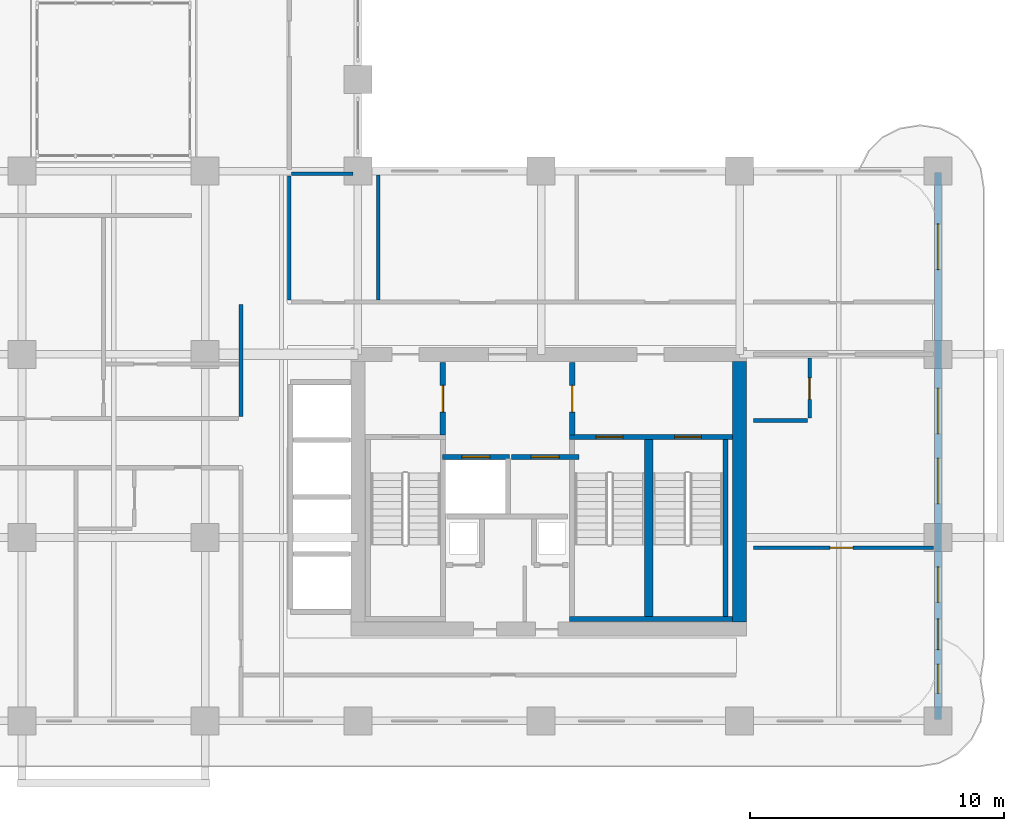
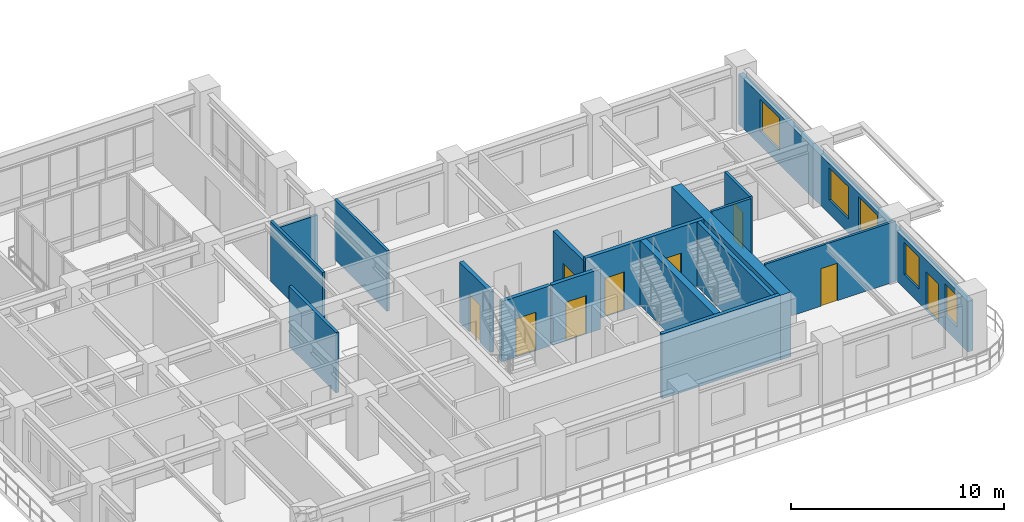
# One storey, part 14 of 22: 17 walls, 9 doors, 5 windows, 14 openings.
"""IFC4 building model written with IfcOpenShell, lengths in metres."""

import ifcopenshell
import ifcopenshell.guid

model = None  # the IFC model being written
_history = None  # IfcOwnerHistory: only IFC2X3 demands one
_inside = {}  # id of a spatial element -> (the spatial element, [elements in it])
_under = {}  # id of a project, library or spatial element -> (it, [spatial elements below it])
_declared = {}  # id of a project -> (the project, [libraries it declares])
_typed = {}  # id of a type object -> (the type object, [elements of that type])
_made_of = {}  # id of a material, layer set ... -> (it, [elements and type objects made of it])


def new_model(schema):
    """Start an empty IFC model of exactly this schema.

    Asked for "IFC4X3", IfcOpenShell would pick the latest addendum, in which some entities
    have other attributes; the version numbers below select the first issue.
    IFC2X3 requires an IfcOwnerHistory on every rooted entity: one is made here for all.
    """
    global model, _history
    if schema == "IFC4X3":
        model = ifcopenshell.file(schema_version=(4, 3, 0, 0))
    else:
        model = ifcopenshell.file(schema=schema)
    _inside.clear()
    _under.clear()
    _declared.clear()
    _typed.clear()
    _made_of.clear()
    _history = None
    if model.schema == "IFC2X3":
        org = make("IfcOrganization", Name="unknown")
        user = make(
            "IfcPersonAndOrganization",
            ThePerson=make("IfcPerson", FamilyName="unknown"),
            TheOrganization=org,
        )
        app = make(
            "IfcApplication",
            ApplicationDeveloper=org,
            Version="unknown",
            ApplicationFullName="unknown",
            ApplicationIdentifier="unknown",
        )
        _history = make(
            "IfcOwnerHistory",
            OwningUser=user,
            OwningApplication=app,
            ChangeAction="ADDED",
            CreationDate=0,
        )
    return model


def make(cls, **values):
    """One entity of the class cls with the attributes given. An attribute that is None is left unset."""
    return model.create_entity(
        cls, **{name: value for name, value in values.items() if value is not None}
    )


def rooted(cls, **values):
    """An entity with a GlobalId (a new one), such as an element, a storey or a relation."""
    return make(cls, GlobalId=ifcopenshell.guid.new(), OwnerHistory=_history, **values)


def si_unit(unit_type, name, prefix=None):
    """IfcSIUnit, for example si_unit("LENGTHUNIT", "METRE", prefix="MILLI")."""
    return make("IfcSIUnit", UnitType=unit_type, Prefix=prefix, Name=name)


def derived_unit(unit_type, elements):
    """IfcDerivedUnit: a product of units, each with its exponent."""
    return make(
        "IfcDerivedUnit",
        Elements=[
            make("IfcDerivedUnitElement", Unit=unit, Exponent=power)
            for unit, power in elements
        ],
        UnitType=unit_type,
    )


def assignment(units):
    """IfcUnitAssignment: the units of a project."""
    return None if units is None else make("IfcUnitAssignment", Units=units)


def point(xyz):
    """IfcCartesianPoint."""
    return None if xyz is None else make("IfcCartesianPoint", Coordinates=xyz)


def direction(xyz):
    """IfcDirection."""
    return None if xyz is None else make("IfcDirection", DirectionRatios=xyz)


def frame(location, z_axis=None, x_axis=None):
    """IfcAxis2Placement3D, a coordinate frame: its origin and axes. An axis left out is left unset."""
    return make(
        "IfcAxis2Placement3D",
        Location=point(location),
        Axis=direction(z_axis),
        RefDirection=direction(x_axis),
    )


def frame_2d(location, x_axis=None):
    """IfcAxis2Placement2D, a coordinate frame in the plane: its origin and x axis."""
    return make(
        "IfcAxis2Placement2D", Location=point(location), RefDirection=direction(x_axis)
    )


def origin():
    """The frame at (0, 0, 0) with its axes left unset."""
    return frame((0.0, 0.0, 0.0))


def place(relative_to, where):
    """IfcLocalPlacement: puts the frame where relative to a parent placement (None: the world)."""
    return make(
        "IfcLocalPlacement", PlacementRelTo=relative_to, RelativePlacement=where
    )


def context(
    kind, dimensions, precision=None, world=None, true_north=None, identifier=None
):
    """IfcGeometricRepresentationContext, for example the 3D "Model" context."""
    return make(
        "IfcGeometricRepresentationContext",
        ContextIdentifier=identifier,
        ContextType=kind,
        CoordinateSpaceDimension=dimensions,
        Precision=precision,
        WorldCoordinateSystem=world,
        TrueNorth=true_north,
    )


def subcontext(parent, identifier, kind, view, scale=None):
    """IfcGeometricRepresentationSubContext, for example "Body" below "Model"."""
    return make(
        "IfcGeometricRepresentationSubContext",
        ContextIdentifier=identifier,
        ContextType=kind,
        ParentContext=parent,
        TargetScale=scale,
        TargetView=view,
    )


def project(units=None, contexts=None):
    """IfcProject with its units and contexts."""
    return rooted(
        "IfcProject",
        Name="project",
        RepresentationContexts=contexts,
        UnitsInContext=assignment(units),
    )


def spatial(cls, under=None, at=None, **own):
    """A site, building, storey or space (cls), placed at a placement, below another one or the project."""
    s = rooted(cls, ObjectPlacement=at, **own)
    if under is not None:
        _under.setdefault(under.id(), (under, []))[1].append(s)
    return s


def profile(cls, at=None, kind="AREA", **sizes):
    """A parametric profile (cls). Its sizes go by their IFC names, for example OverallWidth=200.0."""
    return make(cls, ProfileType=kind, Position=at, **sizes)


def rectangle(**sizes):
    """IfcRectangleProfileDef."""
    return profile("IfcRectangleProfileDef", **sizes)


def extrude(swept, where, along, depth):
    """IfcExtrudedAreaSolid: the profile swept, set in the frame where, extruded along a direction by depth."""
    return make(
        "IfcExtrudedAreaSolid",
        SweptArea=swept,
        Position=where,
        ExtrudedDirection=direction(along),
        Depth=depth,
    )


def shape(context_of_items, identifier, shape_type, items):
    """IfcShapeRepresentation: the items that make up one representation, for example the "Body"."""
    return make(
        "IfcShapeRepresentation",
        ContextOfItems=context_of_items,
        RepresentationIdentifier=identifier,
        RepresentationType=shape_type,
        Items=items,
    )


def source(mapping_origin, context_of_items, identifier, shape_type, items):
    """IfcRepresentationMap: a shape defined once, which mapped items show again and again."""
    return make(
        "IfcRepresentationMap",
        MappingOrigin=mapping_origin,
        MappedRepresentation=shape(context_of_items, identifier, shape_type, items),
    )


def transform(
    local_origin,
    x_axis=None,
    y_axis=None,
    z_axis=None,
    scale=None,
    scale2=None,
    scale3=None,
    uniform=True,
):
    """IfcCartesianTransformationOperator3D, or its non-uniform kind. x_axis, y_axis, z_axis: its Axis1, 2, 3."""
    if uniform:
        return make(
            "IfcCartesianTransformationOperator3D",
            Axis1=direction(x_axis),
            Axis2=direction(y_axis),
            LocalOrigin=point(local_origin),
            Scale=scale,
            Axis3=direction(z_axis),
        )
    return make(
        "IfcCartesianTransformationOperator3DnonUniform",
        Axis1=direction(x_axis),
        Axis2=direction(y_axis),
        LocalOrigin=point(local_origin),
        Scale=scale,
        Axis3=direction(z_axis),
        Scale2=scale2,
        Scale3=scale3,
    )


def mapped(mapping_source, mapping_target):
    """IfcMappedItem: shows the shape of a source again, moved by a transform."""
    return make(
        "IfcMappedItem", MappingSource=mapping_source, MappingTarget=mapping_target
    )


def material(Name=None, Category=None):
    """IfcMaterial."""
    return make("IfcMaterial", Name=Name, Category=Category)


def layer(
    of_material, thickness, ventilated=None, Name=None, Category=None, Priority=None
):
    """IfcMaterialLayer: one layer of a wall or slab, of a material (None: an air gap)."""
    return make(
        "IfcMaterialLayer",
        Material=of_material,
        LayerThickness=thickness,
        IsVentilated=ventilated,
        Name=Name,
        Category=Category,
        Priority=Priority,
    )


def layer_set(layers, Name=None):
    """IfcMaterialLayerSet."""
    return make("IfcMaterialLayerSet", MaterialLayers=layers, LayerSetName=Name)


def made_of(thing, what):
    """Note that an element or type object is made of a material, layer set ...; save() writes the relation."""
    if what is not None:
        _made_of.setdefault(what.id(), (what, []))[1].append(thing)
    return thing


def type_object(cls, material=None, **own):
    """A type object (cls), such as IfcWallType, which elements share."""
    return made_of(rooted(cls, **own), material)


def type_shapes(of_type, sources):
    """Give a type object the sources (RepresentationMaps) that its elements show as mapped items."""
    of_type.RepresentationMaps = sources


def element(
    cls,
    number,
    at=None,
    inside=None,
    cuts=None,
    type_object=None,
    material=None,
    context=None,
    identifier="Body",
    shape_type=None,
    held_by="IfcProductDefinitionShape",
    body=None,
    shapes=None,
    **own,
):
    """One element of the class cls, such as IfcWall. Its Tag is "e" and its number.

    at: its placement. inside: the storey or other place that contains it. cuts: it is an
    opening in that element (IfcRelVoidsElement). A single representation is given by context,
    identifier, shape_type and body (its items); several are given by shapes. held_by: the class
    of the entity that holds the representations. save() writes the other relations.
    """
    e = rooted(cls, Tag="e%d" % number, ObjectPlacement=at, **own)
    if body is not None:
        shapes = [shape(context, identifier, shape_type, body)]
    if shapes is not None:
        e.Representation = make(held_by, Representations=shapes)
    if inside is not None:
        _inside.setdefault(inside.id(), (inside, []))[1].append(e)
    if cuts is not None:
        rooted(
            "IfcRelVoidsElement", RelatingBuildingElement=cuts, RelatedOpeningElement=e
        )
    if type_object is not None:
        _typed.setdefault(type_object.id(), (type_object, []))[1].append(e)
    return made_of(e, material)


def fill(opening, filler):
    """IfcRelFillsElement: the door or window that sits in an opening."""
    return rooted(
        "IfcRelFillsElement",
        RelatingOpeningElement=opening,
        RelatedBuildingElement=filler,
    )


def aggregate(whole, parts):
    """IfcRelAggregates: a whole, such as a stair, and the parts it consists of."""
    return rooted("IfcRelAggregates", RelatingObject=whole, RelatedObjects=parts)


def save(model, path):
    """Write the relations noted so far, then the file.

    IfcRelAggregates (storeys below a building ...), IfcRelContainedInSpatialStructure (elements
    in a storey), IfcRelDefinesByType, IfcRelAssociatesMaterial and IfcRelDeclares: one each for
    every whole, place, type object, material and project.
    """
    for whole, parts in _under.values():
        aggregate(whole, parts)
    for where, things in _inside.values():
        rooted(
            "IfcRelContainedInSpatialStructure",
            RelatedElements=things,
            RelatingStructure=where,
        )
    for kind, things in _typed.values():
        rooted("IfcRelDefinesByType", RelatedObjects=things, RelatingType=kind)
    for what, things in _made_of.values():
        rooted("IfcRelAssociatesMaterial", RelatedObjects=things, RelatingMaterial=what)
    for by, libraries in _declared.values():
        rooted("IfcRelDeclares", RelatingContext=by, RelatedDefinitions=libraries)
    model.write(path)


model = new_model("IFC4")

# Units and contexts
model_context = context("Model", 3, precision=1e-05, world=origin(), true_north=direction((0.0, 1.0)))
body_context = subcontext(model_context, "Body", "Model", "MODEL_VIEW")
ifc_project = project(units=[si_unit("LENGTHUNIT", "METRE"), si_unit("AREAUNIT", "SQUARE_METRE"), si_unit("VOLUMEUNIT", "CUBIC_METRE"), si_unit("PLANEANGLEUNIT", "RADIAN"), si_unit("MASSUNIT", "GRAM", prefix="KILO"), si_unit("THERMODYNAMICTEMPERATUREUNIT", "KELVIN"), si_unit("POWERUNIT", "WATT"), derived_unit("THERMALTRANSMITTANCEUNIT", [(si_unit("POWERUNIT", "WATT"), 1), (si_unit("AREAUNIT", "SQUARE_METRE"), -1), (si_unit("THERMODYNAMICTEMPERATUREUNIT", "KELVIN"), -1)])], contexts=[model_context])

# Site, building, storey
site_placement = place(None, origin())
site = spatial("IfcSite", under=ifc_project, at=site_placement, CompositionType="ELEMENT")
building_placement = place(site_placement, origin())
building = spatial("IfcBuilding", under=site, at=building_placement, Name="Zahravan Archway Hotel and Residences", CompositionType="ELEMENT")
storey_placement = place(building_placement, frame((0.0, 0.0, 87.89990234375)))
storey = spatial("IfcBuildingStorey", under=building, at=storey_placement, Name="L21", CompositionType="ELEMENT", Elevation=87.89990234375)

# Wall
ifc_material_1 = material(Name="Concrete C70/85", Category="concrete")
ifc_layer_1 = layer(ifc_material_1, 0.550048828125, Name="Concrete C70/85", Category="concrete")
ifc_layer_set_1 = layer_set([ifc_layer_1], Name="Concrete C70/85")
wall_type_1 = type_object("IfcWallType", Name="CW-CORE-550", PredefinedType="SHEAR", material=ifc_layer_set_1)
wall_1_placement = place(storey_placement, frame((49.800048828125, 3.875, 0.0), z_axis=(0.0, 0.0, 1.0), x_axis=(0.0, 1.0, 0.0)))
element("IfcWall", 1, at=wall_1_placement, inside=storey, type_object=wall_type_1, Name="L21 Core A Shear E Wall 550 mm", PredefinedType="SHEAR", context=body_context, shape_type="SweptSolid", body=[
    extrude(rectangle(XDim=10.25, YDim=0.550048828125, at=frame_2d((5.125, 0.0))), origin(), (0.0, 0.0, 1.0), 3.7001953125),
])

# Wall, openings, door, windows
ifc_material_2 = material(Name="Honed Red-Ochre Sandstone & Insulated Block", Category="masonry")
ifc_layer_2 = layer(ifc_material_2, 0.280029296875, Name="Honed Red-Ochre Sandstone & Insulated Block", Category="masonry")
ifc_layer_set_2 = layer_set([ifc_layer_2], Name="Honed Red-Ochre Sandstone & Insulated Block")
wall_type_2 = type_object("IfcWallType", Name="EW-LOG-280", PredefinedType="SOLIDWALL", material=ifc_layer_set_2)
wall_2_placement = place(storey_placement, frame((57.60009765625, 0.050048828125, 0.0), z_axis=(0.0, 0.0, 1.0), x_axis=(0.0, 1.0, 0.0)))
wall_2 = element("IfcWall", 2, at=wall_2_placement, inside=storey, type_object=wall_type_2, Name="L21 Exterior Sandstone Wall WA-E", PredefinedType="SOLIDWALL", context=body_context, shape_type="SweptSolid", body=[
    extrude(rectangle(XDim=21.5, YDim=0.280029296875, at=frame_2d((10.75, 0.0))), origin(), (0.0, 0.0, 1.0), 2.885009765625),
])
opening_1_placement = place(wall_2_placement, frame((2.75, 0.0, 0.0)))
opening_1 = element("IfcOpeningElement", 3, at=opening_1_placement, cuts=wall_2, Name="Opening ED-BL1", PredefinedType="OPENING", context=body_context, shape_type="SweptSolid", body=[
    extrude(rectangle(XDim=1.199951171875, YDim=2.199951171875, at=frame_2d((0.60009765625, 1.10009765625))), frame((0.0, 0.14990234375, 0.0), z_axis=(0.0, -1.0, 0.0), x_axis=(1.0, 0.0, 0.0)), (0.0, 0.0, 1.0), 0.300048828125),
])
opening_2_placement = place(wall_2_placement, frame((1.02490234375, 0.0, 0.800048828125)))
opening_2 = element("IfcOpeningElement", 4, at=opening_2_placement, cuts=wall_2, Name="Opening W-05", PredefinedType="OPENING", context=body_context, shape_type="SweptSolid", body=[
    extrude(rectangle(XDim=1.14990234375, YDim=1.800048828125, at=frame_2d((0.574951171875, 0.89990234375))), frame((0.0, 0.14990234375, 0.0), z_axis=(0.0, -1.0, 0.0), x_axis=(1.0, 0.0, 0.0)), (0.0, 0.0, 1.0), 0.300048828125),
])
opening_3_placement = place(wall_2_placement, frame((4.60009765625, 0.0, 0.800048828125)))
opening_3 = element("IfcOpeningElement", 5, at=opening_3_placement, cuts=wall_2, Name="Opening W-03", PredefinedType="OPENING", context=body_context, shape_type="SweptSolid", body=[
    extrude(rectangle(XDim=1.39990234375, YDim=1.85009765625, at=frame_2d((0.699951171875, 0.925048828125))), frame((0.0, 0.14990234375, 0.0), z_axis=(0.0, -1.0, 0.0), x_axis=(1.0, 0.0, 0.0)), (0.0, 0.0, 1.0), 0.300048828125),
])
opening_4_placement = place(wall_2_placement, frame((8.47509765625, 0.0, 0.800048828125)))
opening_4 = element("IfcOpeningElement", 6, at=opening_4_placement, cuts=wall_2, Name="Opening W-02", PredefinedType="OPENING", context=body_context, shape_type="SweptSolid", body=[
    extrude(rectangle(XDim=1.800048828125, YDim=1.85009765625, at=frame_2d((0.89990234375, 0.925048828125))), frame((0.0, 0.14990234375, 0.0), z_axis=(0.0, -1.0, 0.0), x_axis=(1.0, 0.0, 0.0)), (0.0, 0.0, 1.0), 0.300048828125),
])
opening_5_placement = place(wall_2_placement, frame((11.22509765625, 0.0, 0.800048828125)))
opening_5 = element("IfcOpeningElement", 7, at=opening_5_placement, cuts=wall_2, Name="Opening W-02", PredefinedType="OPENING", context=body_context, shape_type="SweptSolid", body=[
    extrude(rectangle(XDim=1.800048828125, YDim=1.85009765625, at=frame_2d((0.89990234375, 0.925048828125))), frame((0.0, 0.14990234375, 0.0), z_axis=(0.0, -1.0, 0.0), x_axis=(1.0, 0.0, 0.0)), (0.0, 0.0, 1.0), 0.300048828125),
])
opening_6_placement = place(wall_2_placement, frame((17.678955078125, 0.0, 0.800048828125)))
opening_6 = element("IfcOpeningElement", 8, at=opening_6_placement, cuts=wall_2, Name="Opening W-02", PredefinedType="OPENING", context=body_context, shape_type="SweptSolid", body=[
    extrude(rectangle(XDim=1.800048828125, YDim=1.85009765625, at=frame_2d((0.89990234375, 0.925048828125))), frame((0.0, 0.14990234375, 0.0), z_axis=(0.0, -1.0, 0.0), x_axis=(1.0, 0.0, 0.0)), (0.0, 0.0, 1.0), 0.300048828125),
])
ifc_material_3 = material(Name="Bronze-Anodized Glazed Aluminium", Category="aluminium")
door_type_1 = type_object("IfcDoorType", Name="ED-BALC-1200", OperationType="SLIDING_TO_LEFT", PredefinedType="DOOR", material=ifc_material_3)
shared_shape_1 = source(origin(), body_context, "Body", "SweptSolid", [
    extrude(rectangle(XDim=1.199951171875, YDim=2.199951171875, at=frame_2d((0.60009765625, 1.10009765625))), frame((0.0, 0.02490234375, 0.0), z_axis=(0.0, -1.0, 0.0), x_axis=(1.0, 0.0, 0.0)), (0.0, 0.0, 1.0), 0.050048828125),
])
type_shapes(door_type_1, [shared_shape_1])
door_1_placement = place(opening_1_placement, origin())
door_1 = element("IfcDoor", 9, at=door_1_placement, inside=storey, type_object=door_type_1, Name="L21 Outdoor Access Sliding Door (SLB-BAL-L21-EA)", OperationType="SLIDING_TO_LEFT", OverallHeight=2.199951171875, OverallWidth=1.199951171875, PredefinedType="DOOR", context=body_context, shape_type="MappedRepresentation", body=[
    mapped(shared_shape_1, transform((0.0, 0.0, 0.0), scale=1.0)),
])
fill(opening_1, door_1)
ifc_material_4 = material(Name="Bronze-Anodized Thermal-Break Aluminium & Low-E Glass", Category="aluminium")
window_type_1 = type_object("IfcWindowType", Name="WIN-TWR-1400", PartitioningType="SINGLE_PANEL", PredefinedType="WINDOW", material=ifc_material_4)
shared_shape_2 = source(origin(), body_context, "Body", "SweptSolid", [
    extrude(rectangle(XDim=1.39990234375, YDim=1.85009765625, at=frame_2d((0.699951171875, 0.925048828125))), frame((0.0, 0.030029296875, 0.0), z_axis=(0.0, -1.0, 0.0), x_axis=(1.0, 0.0, 0.0)), (0.0, 0.0, 1.0), 0.06005859375),
])
type_shapes(window_type_1, [shared_shape_2])
window_1_placement = place(opening_3_placement, origin())
window_1 = element("IfcWindow", 10, at=window_1_placement, inside=storey, type_object=window_type_1, Name="L21 Loggia Window 12", OverallHeight=1.85009765625, OverallWidth=1.39990234375, PartitioningType="SINGLE_PANEL", PredefinedType="WINDOW", context=body_context, shape_type="MappedRepresentation", body=[
    mapped(shared_shape_2, transform((0.0, 0.0, 0.0), scale=1.0)),
])
fill(opening_3, window_1)
window_type_2 = type_object("IfcWindowType", Name="WIN-TWR-1800", PartitioningType="DOUBLE_PANEL_VERTICAL", PredefinedType="WINDOW", material=ifc_material_4)
shared_shape_3 = source(origin(), body_context, "Body", "SweptSolid", [
    extrude(rectangle(XDim=1.800048828125, YDim=1.85009765625, at=frame_2d((0.89990234375, 0.925048828125))), frame((0.0, 0.030029296875, 0.0), z_axis=(0.0, -1.0, 0.0), x_axis=(1.0, 0.0, 0.0)), (0.0, 0.0, 1.0), 0.06005859375),
])
type_shapes(window_type_2, [shared_shape_3])
window_2_placement = place(opening_4_placement, origin())
window_2 = element("IfcWindow", 11, at=window_2_placement, inside=storey, type_object=window_type_2, Name="L21 Loggia Window 13", OverallHeight=1.85009765625, OverallWidth=1.800048828125, PartitioningType="DOUBLE_PANEL_VERTICAL", PredefinedType="WINDOW", context=body_context, shape_type="MappedRepresentation", body=[
    mapped(shared_shape_3, transform((0.0, 0.0, 0.0), scale=1.0)),
])
fill(opening_4, window_2)
window_3_placement = place(opening_5_placement, origin())
window_3 = element("IfcWindow", 12, at=window_3_placement, inside=storey, type_object=window_type_2, Name="L21 Loggia Window 14", OverallHeight=1.85009765625, OverallWidth=1.800048828125, PartitioningType="DOUBLE_PANEL_VERTICAL", PredefinedType="WINDOW", context=body_context, shape_type="MappedRepresentation", body=[
    mapped(shared_shape_3, transform((0.0, 0.0, 0.0), scale=1.0)),
])
fill(opening_5, window_3)
window_4_placement = place(opening_6_placement, origin())
window_4 = element("IfcWindow", 13, at=window_4_placement, inside=storey, type_object=window_type_2, Name="L21 Loggia Window 15", OverallHeight=1.85009765625, OverallWidth=1.800048828125, PartitioningType="DOUBLE_PANEL_VERTICAL", PredefinedType="WINDOW", context=body_context, shape_type="MappedRepresentation", body=[
    mapped(shared_shape_3, transform((0.0, 0.0, 0.0), scale=1.0)),
])
fill(opening_6, window_4)
window_type_3 = type_object("IfcWindowType", Name="WIN-TWR-1150", PartitioningType="SINGLE_PANEL", PredefinedType="WINDOW", material=ifc_material_4)
shared_shape_4 = source(origin(), body_context, "Body", "SweptSolid", [
    extrude(rectangle(XDim=1.14990234375, YDim=1.800048828125, at=frame_2d((0.574951171875, 0.89990234375))), frame((0.0, 0.030029296875, 0.0), z_axis=(0.0, -1.0, 0.0), x_axis=(1.0, 0.0, 0.0)), (0.0, 0.0, 1.0), 0.06005859375),
])
type_shapes(window_type_3, [shared_shape_4])
window_5_placement = place(opening_2_placement, origin())
window_5 = element("IfcWindow", 14, at=window_5_placement, inside=storey, type_object=window_type_3, Name="L21 Loggia Window 11", OverallHeight=1.800048828125, OverallWidth=1.14990234375, PartitioningType="SINGLE_PANEL", PredefinedType="WINDOW", context=body_context, shape_type="MappedRepresentation", body=[
    mapped(shared_shape_4, transform((0.0, 0.0, 0.0), scale=1.0)),
])
fill(opening_2, window_5)

# Wall, opening, door
ifc_material_5 = material(Name="Fire-Rated Gypsum & Concrete Block", Category="concrete")
ifc_layer_3 = layer(ifc_material_5, 0.219970703125, Name="Fire-Rated Gypsum & Concrete Block", Category="concrete")
ifc_layer_set_3 = layer_set([ifc_layer_3], Name="Fire-Rated Gypsum & Concrete Block")
wall_type_3 = type_object("IfcWallType", Name="PW-COMP-220", PredefinedType="PARTITIONING", material=ifc_layer_set_3)
wall_3_placement = place(storey_placement, frame((38.139892578125, 11.219970703125, 0.0), z_axis=(0.0, 0.0, 1.0), x_axis=(0.0, 1.0, 0.0)))
wall_3 = element("IfcWall", 15, at=wall_3_placement, inside=storey, type_object=wall_type_3, Name="L21 Partition CA-LOBW", PredefinedType="PARTITIONING", context=body_context, shape_type="SweptSolid", body=[
    extrude(rectangle(XDim=2.860107421875, YDim=0.219970703125, at=frame_2d((1.43017578125, 0.0))), origin(), (0.0, 0.0, 1.0), 3.4501953125),
])
opening_7_placement = place(wall_3_placement, frame((0.905029296875, 0.0, 0.0)))
opening_7 = element("IfcOpeningElement", 16, at=opening_7_placement, cuts=wall_3, Name="Opening FD-L2", PredefinedType="OPENING", context=body_context, shape_type="SweptSolid", body=[
    extrude(rectangle(XDim=1.050048828125, YDim=2.14990234375, at=frame_2d((0.52490234375, 1.074951171875))), frame((0.0, 0.1201171875, 0.0), z_axis=(0.0, -1.0, 0.0), x_axis=(1.0, 0.0, 0.0)), (0.0, 0.0, 1.0), 0.239990234375),
])
ifc_material_6 = material(Name="Fire-Rated Painted Steel", Category="steel")
door_type_2 = type_object("IfcDoorType", Name="FD-LOBBY-1100", OperationType="NOTDEFINED", PredefinedType="DOOR", material=ifc_material_6)
shared_shape_5 = source(origin(), body_context, "Body", "SweptSolid", [
    extrude(rectangle(XDim=1.050048828125, YDim=2.14990234375, at=frame_2d((0.52490234375, 1.074951171875))), frame((0.0, 0.02490234375, 0.0), z_axis=(0.0, -1.0, 0.0), x_axis=(1.0, 0.0, 0.0)), (0.0, 0.0, 1.0), 0.050048828125),
])
type_shapes(door_type_2, [shared_shape_5])
door_2_placement = place(opening_7_placement, origin())
door_2 = element("IfcDoor", 17, at=door_2_placement, inside=storey, type_object=door_type_2, Name="L21 Core A West Stair to FSAE Lobby Door", OperationType="SINGLE_SWING_RIGHT", OverallHeight=2.14990234375, OverallWidth=1.050048828125, PredefinedType="DOOR", context=body_context, shape_type="MappedRepresentation", body=[
    mapped(shared_shape_5, transform((0.0, 0.0, 0.0), scale=1.0)),
])
fill(opening_7, door_2)

wall_4_placement = place(storey_placement, frame((43.219970703125, 11.219970703125, 0.0), z_axis=(0.0, 0.0, 1.0), x_axis=(0.0, 1.0, 0.0)))
wall_4 = element("IfcWall", 18, at=wall_4_placement, inside=storey, type_object=wall_type_3, Name="L21 Partition CA-LOBE", PredefinedType="PARTITIONING", context=body_context, shape_type="SweptSolid", body=[
    extrude(rectangle(XDim=2.860107421875, YDim=0.219970703125, at=frame_2d((1.43017578125, 0.0))), origin(), (0.0, 0.0, 1.0), 3.4501953125),
])
opening_8_placement = place(wall_4_placement, frame((0.905029296875, 0.0, 0.0)))
opening_8 = element("IfcOpeningElement", 19, at=opening_8_placement, cuts=wall_4, Name="Opening FD-L2", PredefinedType="OPENING", context=body_context, shape_type="SweptSolid", body=[
    extrude(rectangle(XDim=1.050048828125, YDim=2.14990234375, at=frame_2d((0.52490234375, 1.074951171875))), frame((0.0, 0.1201171875, 0.0), z_axis=(0.0, -1.0, 0.0), x_axis=(1.0, 0.0, 0.0)), (0.0, 0.0, 1.0), 0.239990234375),
])
door_3_placement = place(opening_8_placement, origin())
door_3 = element("IfcDoor", 20, at=door_3_placement, inside=storey, type_object=door_type_2, Name="L21 Core A East Stair to FSAE Lobby Door", OperationType="SINGLE_SWING_LEFT", OverallHeight=2.14990234375, OverallWidth=1.050048828125, PredefinedType="DOOR", context=body_context, shape_type="MappedRepresentation", body=[
    mapped(shared_shape_5, transform((0.0, 0.0, 0.0), scale=1.0)),
])
fill(opening_8, door_3)

# Wall
ifc_layer_4 = layer(ifc_material_5, 0.159912109375, Name="Fire-Rated Gypsum & Concrete Block", Category="concrete")
ifc_layer_set_4 = layer_set([ifc_layer_4], Name="Fire-Rated Gypsum & Concrete Block")
wall_type_4 = type_object("IfcWallType", Name="PW-CORR-160", PredefinedType="PARTITIONING", material=ifc_layer_set_4)
wall_5_placement = place(storey_placement, frame((30.199951171875, 11.9599609375, 0.0), z_axis=(0.0, 0.0, 1.0), x_axis=(0.0, 1.0, 0.0)))
element("IfcWall", 21, at=wall_5_placement, inside=storey, type_object=wall_type_4, Name="L21 Partition WA-FW", PredefinedType="PARTITIONING", context=body_context, shape_type="SweptSolid", body=[
    extrude(rectangle(XDim=4.400146484375, YDim=0.159912109375, at=frame_2d((2.2001953125, 0.0))), origin(), (0.0, 0.0, 1.0), 3.4501953125),
])

# Wall, opening, door
ifc_material_7 = material(Name="Acoustic Stud Partition")
ifc_layer_5 = layer(ifc_material_7, 0.125, Name="Acoustic Stud Partition")
ifc_layer_set_5 = layer_set([ifc_layer_5], Name="Acoustic Stud Partition")
wall_type_5 = type_object("IfcWallType", Name="PW-INT-125", PredefinedType="PARTITIONING", material=ifc_layer_set_5)
wall_6_placement = place(storey_placement, frame((50.340087890625, 6.800048828125, 0.0), z_axis=(0.0, 0.0, 1.0), x_axis=(1.0, 0.0, 0.0)))
wall_6 = element("IfcWall", 22, at=wall_6_placement, inside=storey, type_object=wall_type_5, Name="L21 Partition EA-PM", PredefinedType="PARTITIONING", context=body_context, shape_type="SweptSolid", body=[
    extrude(rectangle(XDim=7.06982421875, YDim=0.125, at=frame_2d((3.534912109375, 0.0))), origin(), (0.0, 0.0, 1.0), 3.4501953125),
])
opening_9_placement = place(wall_6_placement, frame((3.010009765625, 0.0, 0.0)))
opening_9 = element("IfcOpeningElement", 23, at=opening_9_placement, cuts=wall_6, Name="Opening D-I2", PredefinedType="OPENING", context=body_context, shape_type="SweptSolid", body=[
    extrude(rectangle(XDim=0.89990234375, YDim=2.14990234375, at=frame_2d((0.449951171875, 1.074951171875))), frame((0.0, 0.072509765625, 0.0), z_axis=(0.0, -1.0, 0.0), x_axis=(1.0, 0.0, 0.0)), (0.0, 0.0, 1.0), 0.14501953125),
])
ifc_material_8 = material(Name="Hardwood Veneer Timber", Category="wood")
door_type_3 = type_object("IfcDoorType", Name="ID-INT-900", OperationType="NOTDEFINED", PredefinedType="DOOR", material=ifc_material_8)
shared_shape_6 = source(origin(), body_context, "Body", "SweptSolid", [
    extrude(rectangle(XDim=0.89990234375, YDim=2.14990234375, at=frame_2d((0.449951171875, 1.074951171875))), frame((0.0, 0.02490234375, 0.0), z_axis=(0.0, -1.0, 0.0), x_axis=(1.0, 0.0, 0.0)), (0.0, 0.0, 1.0), 0.050048828125),
])
type_shapes(door_type_3, [shared_shape_6])
door_4_placement = place(opening_9_placement, origin())
door_4 = element("IfcDoor", 24, at=door_4_placement, inside=storey, type_object=door_type_3, Name="L21 East Suite Bedroom Door", OperationType="SINGLE_SWING_RIGHT", OverallHeight=2.14990234375, OverallWidth=0.89990234375, PredefinedType="DOOR", context=body_context, shape_type="MappedRepresentation", body=[
    mapped(shared_shape_6, transform((0.0, 0.0, 0.0), scale=1.0)),
])
fill(opening_9, door_4)

ifc_layer_6 = layer(ifc_material_5, 0.199951171875, Name="Fire-Rated Gypsum & Concrete Block", Category="concrete")
ifc_layer_set_6 = layer_set([ifc_layer_6], Name="Fire-Rated Gypsum & Concrete Block")
wall_type_6 = type_object("IfcWallType", Name="PW-SHAFT-200", PredefinedType="PARTITIONING", material=ifc_layer_set_6)
wall_7_placement = place(storey_placement, frame((38.1201171875, 10.3701171875, 0.0), z_axis=(0.0, 0.0, 1.0), x_axis=(1.0, 0.0, 0.0)))
wall_7 = element("IfcWall", 25, at=wall_7_placement, inside=storey, type_object=wall_type_6, Name="L21 Lift FL-1 Front Wall", PredefinedType="PARTITIONING", context=body_context, shape_type="SweptSolid", body=[
    extrude(rectangle(XDim=2.639892578125, YDim=0.199951171875, at=frame_2d((1.31982421875, 0.0))), origin(), (0.0, 0.0, 1.0), 3.4501953125),
])
opening_10_placement = place(wall_7_placement, frame((0.77001953125, 0.0, 0.0)))
opening_10 = element("IfcOpeningElement", 26, at=opening_10_placement, cuts=wall_7, Name="Opening LD", PredefinedType="OPENING", context=body_context, shape_type="SweptSolid", body=[
    extrude(rectangle(XDim=1.10009765625, YDim=2.199951171875, at=frame_2d((0.550048828125, 1.10009765625))), frame((0.0, 0.10986328125, 0.0), z_axis=(0.0, -1.0, 0.0), x_axis=(1.0, 0.0, 0.0)), (0.0, 0.0, 1.0), 0.219970703125),
])
ifc_material_9 = material(Name="Brushed Stainless Steel", Category="steel")
door_type_4 = type_object("IfcDoorType", Name="DR-LIFT-LD", OperationType="SLIDING_TO_LEFT", PredefinedType="DOOR", material=ifc_material_9)
shared_shape_7 = source(origin(), body_context, "Body", "SweptSolid", [
    extrude(rectangle(XDim=1.10009765625, YDim=2.199951171875, at=frame_2d((0.550048828125, 1.10009765625))), frame((0.0, 0.02490234375, 0.0), z_axis=(0.0, -1.0, 0.0), x_axis=(1.0, 0.0, 0.0)), (0.0, 0.0, 1.0), 0.050048828125),
])
type_shapes(door_type_4, [shared_shape_7])
door_5_placement = place(opening_10_placement, origin())
door_5 = element("IfcDoor", 27, at=door_5_placement, inside=storey, type_object=door_type_4, Name="L21 Lift FL-1 Sliding Landing Door", OperationType="SLIDING_TO_LEFT", OverallHeight=2.199951171875, OverallWidth=1.10009765625, PredefinedType="DOOR", context=body_context, shape_type="MappedRepresentation", body=[
    mapped(shared_shape_7, transform((0.0, 0.0, 0.0), scale=1.0)),
])
fill(opening_10, door_5)

wall_8_placement = place(storey_placement, frame((40.840087890625, 10.3701171875, 0.0), z_axis=(0.0, 0.0, 1.0), x_axis=(1.0, 0.0, 0.0)))
wall_8 = element("IfcWall", 28, at=wall_8_placement, inside=storey, type_object=wall_type_6, Name="L21 Lift FL-2 Front Wall", PredefinedType="PARTITIONING", context=body_context, shape_type="SweptSolid", body=[
    extrude(rectangle(XDim=2.639892578125, YDim=0.199951171875, at=frame_2d((1.31982421875, 0.0))), origin(), (0.0, 0.0, 1.0), 3.4501953125),
])
opening_11_placement = place(wall_8_placement, frame((0.77001953125, 0.0, 0.0)))
opening_11 = element("IfcOpeningElement", 29, at=opening_11_placement, cuts=wall_8, Name="Opening LD", PredefinedType="OPENING", context=body_context, shape_type="SweptSolid", body=[
    extrude(rectangle(XDim=1.10009765625, YDim=2.199951171875, at=frame_2d((0.550048828125, 1.10009765625))), frame((0.0, 0.10986328125, 0.0), z_axis=(0.0, -1.0, 0.0), x_axis=(1.0, 0.0, 0.0)), (0.0, 0.0, 1.0), 0.219970703125),
])
door_6_placement = place(opening_11_placement, origin())
door_6 = element("IfcDoor", 30, at=door_6_placement, inside=storey, type_object=door_type_4, Name="L21 Lift FL-2 Sliding Landing Door", OperationType="SLIDING_TO_LEFT", OverallHeight=2.199951171875, OverallWidth=1.10009765625, PredefinedType="DOOR", context=body_context, shape_type="MappedRepresentation", body=[
    mapped(shared_shape_7, transform((0.0, 0.0, 0.0), scale=1.0)),
])
fill(opening_11, door_6)

ifc_material_10 = material(Name="Moisture-Resistant Blockwork", Category="masonry")
ifc_layer_7 = layer(ifc_material_10, 0.139892578125, Name="Moisture-Resistant Blockwork", Category="masonry")
ifc_layer_set_7 = layer_set([ifc_layer_7], Name="Moisture-Resistant Blockwork")
wall_type_7 = type_object("IfcWallType", Name="PW-WET-140", PredefinedType="PARTITIONING", material=ifc_layer_set_7)
wall_9_placement = place(storey_placement, frame((52.550048828125, 11.889892578125, 0.0), z_axis=(0.0, 0.0, 1.0), x_axis=(0.0, 1.0, 0.0)))
wall_9 = element("IfcWall", 31, at=wall_9_placement, inside=storey, type_object=wall_type_7, Name="L21 Partition EA-PBV", PredefinedType="PARTITIONING", context=body_context, shape_type="SweptSolid", body=[
    extrude(rectangle(XDim=2.3701171875, YDim=0.139892578125, at=frame_2d((1.18505859375, 0.0))), origin(), (0.0, 0.0, 1.0), 3.4501953125),
])
opening_12_placement = place(wall_9_placement, frame((0.735107421875, 0.0, 0.0)))
opening_12 = element("IfcOpeningElement", 32, at=opening_12_placement, cuts=wall_9, Name="Opening D-B1", PredefinedType="OPENING", context=body_context, shape_type="SweptSolid", body=[
    extrude(rectangle(XDim=0.85009765625, YDim=2.10009765625, at=frame_2d((0.425048828125, 1.050048828125))), frame((0.0, 0.080078125, 0.0), z_axis=(0.0, -1.0, 0.0), x_axis=(1.0, 0.0, 0.0)), (0.0, 0.0, 1.0), 0.159912109375),
])
door_type_5 = type_object("IfcDoorType", Name="ID-BATH-850", OperationType="NOTDEFINED", PredefinedType="DOOR", material=ifc_material_8)
shared_shape_8 = source(origin(), body_context, "Body", "SweptSolid", [
    extrude(rectangle(XDim=0.85009765625, YDim=2.10009765625, at=frame_2d((0.425048828125, 1.050048828125))), frame((0.0, 0.02490234375, 0.0), z_axis=(0.0, -1.0, 0.0), x_axis=(1.0, 0.0, 0.0)), (0.0, 0.0, 1.0), 0.050048828125),
])
type_shapes(door_type_5, [shared_shape_8])
door_7_placement = place(opening_12_placement, origin())
door_7 = element("IfcDoor", 33, at=door_7_placement, inside=storey, type_object=door_type_5, Name="L21 East Suite En-Suite Door", OperationType="SINGLE_SWING_LEFT", OverallHeight=2.10009765625, OverallWidth=0.85009765625, PredefinedType="DOOR", context=body_context, shape_type="MappedRepresentation", body=[
    mapped(shared_shape_8, transform((0.0, 0.0, 0.0), scale=1.0)),
])
fill(opening_12, door_7)

# Walls
wall_10_placement = place(storey_placement, frame((50.340087890625, 11.800048828125, 0.0), z_axis=(0.0, 0.0, 1.0), x_axis=(1.0, 0.0, 0.0)))
element("IfcWall", 34, at=wall_10_placement, inside=storey, type_object=wall_type_7, Name="L21 Partition EA-PBH", PredefinedType="PARTITIONING", context=body_context, shape_type="SweptSolid", body=[
    extrude(rectangle(XDim=2.119873046875, YDim=0.139892578125, at=frame_2d((1.06005859375, 0.0))), origin(), (0.0, 0.0, 1.0), 3.4501953125),
])
wall_11_placement = place(storey_placement, frame((32.10009765625, 16.5400390625, 0.0), z_axis=(0.0, 0.0, 1.0), x_axis=(0.0, 1.0, 0.0)))
element("IfcWall", 35, at=wall_11_placement, inside=storey, type_object=wall_type_7, Name="L21 Partition NE-W0", PredefinedType="PARTITIONING", context=body_context, shape_type="SweptSolid", body=[
    extrude(rectangle(XDim=4.869873046875, YDim=0.139892578125, at=frame_2d((2.43505859375, 0.0))), origin(), (0.0, 0.0, 1.0), 3.4501953125),
])
wall_12_placement = place(storey_placement, frame((35.60009765625, 16.5400390625, 0.0), z_axis=(0.0, 0.0, 1.0), x_axis=(0.0, 1.0, 0.0)))
element("IfcWall", 36, at=wall_12_placement, inside=storey, type_object=wall_type_7, Name="L21 Partition NE3-1", PredefinedType="PARTITIONING", context=body_context, shape_type="SweptSolid", body=[
    extrude(rectangle(XDim=4.911865234375, YDim=0.139892578125, at=frame_2d((2.4560546875, 0.0))), origin(), (0.0, 0.0, 1.0), 3.4501953125),
])
wall_13_placement = place(storey_placement, frame((32.18994140625, 21.5, 0.0), z_axis=(0.0, 0.0, 1.0), x_axis=(1.0, 0.0, 0.0)))
element("IfcWall", 37, at=wall_13_placement, inside=storey, type_object=wall_type_7, Name="L21 Partition ATR-ES", PredefinedType="PARTITIONING", context=body_context, shape_type="SweptSolid", body=[
    extrude(rectangle(XDim=2.420166015625, YDim=0.139892578125, at=frame_2d((1.2099609375, 0.0))), origin(), (0.0, 0.0, 1.0), 2.885009765625),
])
ifc_material_11 = material(Name="Concrete C50/60", Category="concrete")
ifc_layer_8 = layer(ifc_material_11, 0.199951171875, Name="Concrete C50/60", Category="concrete")
ifc_layer_set_8 = layer_set([ifc_layer_8], Name="Concrete C50/60")
wall_type_8 = type_object("IfcWallType", Name="SW-STAIR-200", PredefinedType="SHEAR", material=ifc_layer_set_8)
wall_14_placement = place(storey_placement, frame((43.1201171875, 4.0, 0.0), z_axis=(0.0, 0.0, 1.0), x_axis=(1.0, 0.0, 0.0)))
element("IfcWall", 38, at=wall_14_placement, inside=storey, type_object=wall_type_8, Name="L21 Stairwell RC Wall CA-SA23S", PredefinedType="SHEAR", context=body_context, shape_type="SweptSolid", body=[
    extrude(rectangle(XDim=6.40478515625, YDim=0.199951171875, at=frame_2d((3.202392578125, 0.0))), origin(), (0.0, 0.0, 1.0), 3.7001953125),
])
wall_15_placement = place(storey_placement, frame((49.239990234375, 4.10009765625, 0.0), z_axis=(0.0, 0.0, 1.0), x_axis=(0.0, 1.0, 0.0)))
element("IfcWall", 39, at=wall_15_placement, inside=storey, type_object=wall_type_8, Name="L21 Stairwell RC Wall CA-SA3E", PredefinedType="SHEAR", context=body_context, shape_type="SweptSolid", body=[
    extrude(rectangle(XDim=6.949951171875, YDim=0.199951171875, at=frame_2d((3.47509765625, 0.0))), origin(), (0.0, 0.0, 1.0), 3.7001953125),
])

# Wall, openings, doors
wall_16_placement = place(storey_placement, frame((43.1201171875, 11.14990234375, 0.0), z_axis=(0.0, 0.0, 1.0), x_axis=(1.0, 0.0, 0.0)))
wall_16 = element("IfcWall", 40, at=wall_16_placement, inside=storey, type_object=wall_type_8, Name="L21 Stairwell RC Wall CA-SA23N", PredefinedType="SHEAR", context=body_context, shape_type="SweptSolid", body=[
    extrude(rectangle(XDim=6.40478515625, YDim=0.199951171875, at=frame_2d((3.202392578125, 0.0))), origin(), (0.0, 0.0, 1.0), 3.7001953125),
])
opening_13_placement = place(wall_16_placement, frame((1.044921875, 0.0, 0.0)))
opening_13 = element("IfcOpeningElement", 41, at=opening_13_placement, cuts=wall_16, Name="Opening FD-S1", PredefinedType="OPENING", context=body_context, shape_type="SweptSolid", body=[
    extrude(rectangle(XDim=1.050048828125, YDim=2.199951171875, at=frame_2d((0.52490234375, 1.10009765625))), frame((0.0, 0.10986328125, 0.0), z_axis=(0.0, -1.0, 0.0), x_axis=(1.0, 0.0, 0.0)), (0.0, 0.0, 1.0), 0.219970703125),
])
opening_14_placement = place(wall_16_placement, frame((4.125, 0.0, 0.0)))
opening_14 = element("IfcOpeningElement", 42, at=opening_14_placement, cuts=wall_16, Name="Opening FD-S1", PredefinedType="OPENING", context=body_context, shape_type="SweptSolid", body=[
    extrude(rectangle(XDim=1.050048828125, YDim=2.199951171875, at=frame_2d((0.52490234375, 1.10009765625))), frame((0.0, 0.10986328125, 0.0), z_axis=(0.0, -1.0, 0.0), x_axis=(1.0, 0.0, 0.0)), (0.0, 0.0, 1.0), 0.219970703125),
])
door_type_6 = type_object("IfcDoorType", Name="FD-STAIR-1100", OperationType="NOTDEFINED", PredefinedType="DOOR", material=ifc_material_6)
shared_shape_9 = source(origin(), body_context, "Body", "SweptSolid", [
    extrude(rectangle(XDim=1.050048828125, YDim=2.199951171875, at=frame_2d((0.52490234375, 1.10009765625))), frame((0.0, 0.02490234375, 0.0), z_axis=(0.0, -1.0, 0.0), x_axis=(1.0, 0.0, 0.0)), (0.0, 0.0, 1.0), 0.050048828125),
])
type_shapes(door_type_6, [shared_shape_9])
door_8_placement = place(opening_13_placement, origin())
door_8 = element("IfcDoor", 43, at=door_8_placement, inside=storey, type_object=door_type_6, Name="L21 Stair ST-A2 Door", OperationType="SINGLE_SWING_RIGHT", OverallHeight=2.199951171875, OverallWidth=1.050048828125, PredefinedType="DOOR", context=body_context, shape_type="MappedRepresentation", body=[
    mapped(shared_shape_9, transform((0.0, 0.0, 0.0), scale=1.0)),
])
fill(opening_13, door_8)
door_9_placement = place(opening_14_placement, origin())
door_9 = element("IfcDoor", 44, at=door_9_placement, inside=storey, type_object=door_type_6, Name="L21 Stair ST-A3 Door", OperationType="SINGLE_SWING_LEFT", OverallHeight=2.199951171875, OverallWidth=1.050048828125, PredefinedType="DOOR", context=body_context, shape_type="MappedRepresentation", body=[
    mapped(shared_shape_9, transform((0.0, 0.0, 0.0), scale=1.0)),
])
fill(opening_14, door_9)

# Wall
ifc_layer_9 = layer(ifc_material_11, 0.340087890625, Name="Concrete C50/60", Category="concrete")
ifc_layer_set_9 = layer_set([ifc_layer_9], Name="Concrete C50/60")
wall_type_9 = type_object("IfcWallType", Name="SW-STAIR-340", PredefinedType="SHEAR", material=ifc_layer_set_9)
wall_17_placement = place(storey_placement, frame((46.22998046875, 4.10009765625, 0.0), z_axis=(0.0, 0.0, 1.0), x_axis=(0.0, 1.0, 0.0)))
element("IfcWall", 45, at=wall_17_placement, inside=storey, type_object=wall_type_9, Name="L21 Stairwell RC Wall CA-SA23M", PredefinedType="SHEAR", context=body_context, shape_type="SweptSolid", body=[
    extrude(rectangle(XDim=6.949951171875, YDim=0.340087890625, at=frame_2d((3.47509765625, 0.0))), origin(), (0.0, 0.0, 1.0), 3.7001953125),
])

save(model, "model.ifc")
